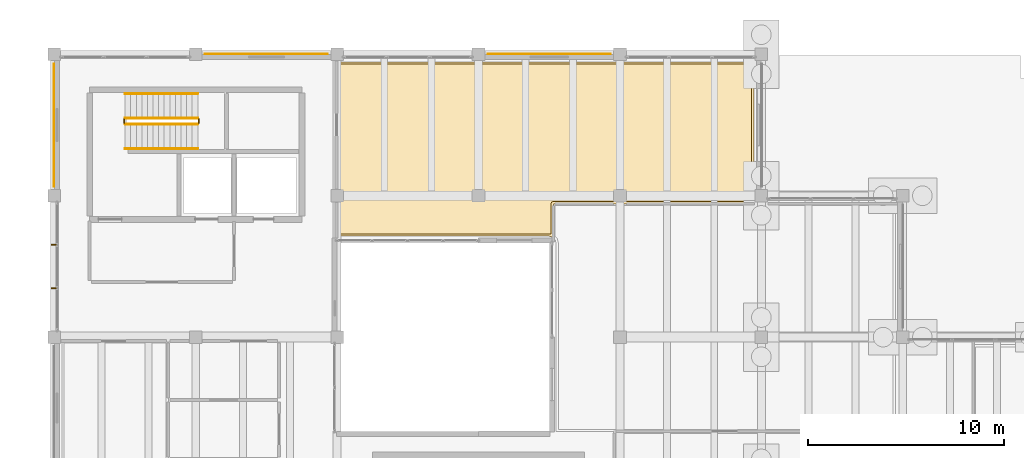
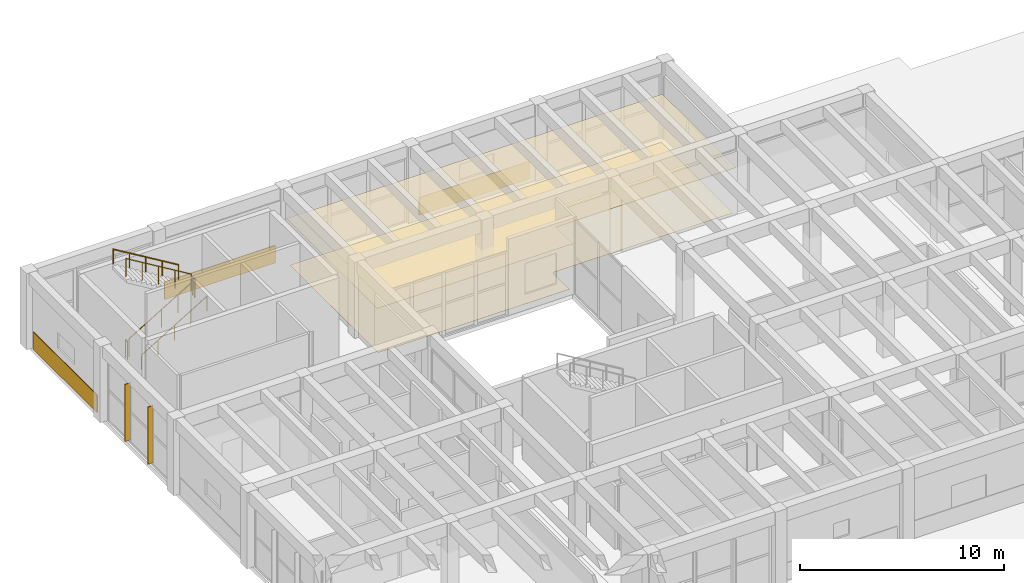
# One storey, part 150 of 155: 6 railings, 5 coverings, 2 shading devices.
"""IFC4 building model written with IfcOpenShell, lengths in metres."""

from ifc_helpers import new_model, si_unit, direction, frame, origin, origin_2d, place, context, subcontext, project, spatial, polyline, rectangle, circle, outline, extrude, material, layer, layer_set, type_object, element, save


model = new_model("IFC4")

# Units and contexts
model_context = context("Model", 3, precision=1e-05, world=origin(), true_north=direction((0.0, 1.0)))
body_context = subcontext(model_context, "Body", "Model", "MODEL_VIEW")
ifc_project = project(units=[si_unit("LENGTHUNIT", "METRE"), si_unit("AREAUNIT", "SQUARE_METRE"), si_unit("VOLUMEUNIT", "CUBIC_METRE"), si_unit("PLANEANGLEUNIT", "RADIAN"), si_unit("MASSUNIT", "GRAM", prefix="KILO")], contexts=[model_context])

# Site, building, storey
site_placement = place(None, origin())
site = spatial("IfcSite", under=ifc_project, at=site_placement, CompositionType="ELEMENT")
building_placement = place(site_placement, origin())
building = spatial("IfcBuilding", under=site, at=building_placement, Name="Bramvelor Terrace Health Centre", CompositionType="ELEMENT")
storey_placement = place(building_placement, origin())
storey = spatial("IfcBuildingStorey", under=building, at=storey_placement, Name="L01", CompositionType="ELEMENT", Elevation=0.0)

# Coverings
ifc_material_1 = material(Name="Honed volcanic tuff rainscreen stone", Category="masonry")
ifc_layer_1 = layer(ifc_material_1, 0.0400390625)
ifc_layer_set_1 = layer_set([ifc_layer_1], Name="Honed volcanic tuff rainscreen stone")
covering_type_1 = type_object("IfcCoveringType", Name="COV-CLAD-TUF", PredefinedType="CLADDING", material=ifc_layer_set_1)
covering_1_placement = place(storey_placement, frame((-0.014892578125, 111.60009765625, 0.02490234375), z_axis=(0.0, 0.0, 1.0), x_axis=(1.0, 0.0, 0.0)))
element("IfcCovering", 1, at=covering_1_placement, inside=storey, type_object=covering_type_1, Name="L01 Volcanic Tuff Rainscreen Spandrel 23", PredefinedType="CLADDING", context=body_context, shape_type="SweptSolid", body=[
    extrude(rectangle(XDim=0.0400390625, YDim=6.260009765625, at=origin_2d()), origin(), (0.0, 0.0, 1.0), 1.050048828125),
])
for number, where, z_axis, x_axis, name in (
    (2, (10.800048828125, 115.215087890625, 0.02490234375), (0.0, 0.0, 1.0), (1.0, 0.0, 0.0), "L01 Volcanic Tuff Rainscreen Spandrel 24"),
    (3, (25.199951171875, 115.215087890625, 0.02490234375), (0.0, 0.0, 1.0), (1.0, 0.0, 0.0), "L01 Volcanic Tuff Rainscreen Spandrel 25"),
):
    element("IfcCovering", number, at=place(storey_placement, frame(where, z_axis=z_axis, x_axis=x_axis)), inside=storey, type_object=covering_type_1, Name=name, PredefinedType="CLADDING", context=body_context, shape_type="SweptSolid", body=[
        extrude(rectangle(XDim=6.260009765625, YDim=0.0400390625, at=origin_2d()), origin(), (0.0, 0.0, 1.0), 1.050048828125),
    ])
ifc_material_2 = material(Name="Hygienic mineral-fibre acoustic ceiling", Category="gypsum")
ifc_layer_2 = layer(ifc_material_2, 0.02001953125)
ifc_layer_set_2 = layer_set([ifc_layer_2], Name="Hygienic mineral-fibre acoustic ceiling")
covering_type_2 = type_object("IfcCoveringType", Name="COV-CLG-ACT", PredefinedType="CEILING", material=ifc_layer_set_2)
covering_2_placement = place(storey_placement, frame((0.0, 0.0, 2.75)))
element("IfcCovering", 4, at=covering_2_placement, inside=storey, type_object=covering_type_2, Name="L01 Primary Care Nursing Suite Acoustic Ceiling", PredefinedType="CEILING", context=body_context, shape_type="SweptSolid", body=[
    extrude(outline(polyline([(35.60009765625, 114.820068359375), (35.60205078125, 114.81982421875), (35.60400390625, 114.819580078125), (35.605712890625, 114.819091796875), (35.607666015625, 114.818603515625), (35.609375, 114.817626953125), (35.611083984375, 114.816650390625), (35.61279296875, 114.8154296875), (35.614013671875, 114.814208984375), (35.615478515625, 114.812744140625), (35.61669921875, 114.81103515625), (35.61767578125, 114.809326171875), (35.618408203125, 114.8076171875), (35.619140625, 114.805908203125), (35.61962890625, 114.803955078125), (35.619873046875, 114.802001953125), (35.6201171875, 114.800048828125), (35.6201171875, 107.60205078125), (35.619873046875, 107.60009765625), (35.61962890625, 107.59814453125), (35.619140625, 107.59619140625), (35.618408203125, 107.59423828125), (35.61767578125, 107.592529296875), (35.61669921875, 107.5908203125), (35.615478515625, 107.58935546875), (35.614013671875, 107.587890625), (35.61279296875, 107.58642578125), (35.611083984375, 107.58544921875), (35.609375, 107.58447265625), (35.607666015625, 107.58349609375), (35.605712890625, 107.5830078125), (35.60400390625, 107.58251953125), (35.60205078125, 107.58203125), (35.60009765625, 107.58203125), (25.419677734375, 107.58203125), (25.41796875, 105.900390625), (25.41796875, 105.898681640625), (25.41748046875, 105.896484375), (25.4169921875, 105.894775390625), (25.41650390625, 105.892822265625), (25.41552734375, 105.89111328125), (25.41455078125, 105.889404296875), (25.41357421875, 105.8876953125), (25.412109375, 105.886474609375), (25.41064453125, 105.885009765625), (25.4091796875, 105.8837890625), (25.407470703125, 105.8828125), (25.40576171875, 105.882080078125), (25.40380859375, 105.88134765625), (25.40185546875, 105.880859375), (25.39990234375, 105.880615234375), (25.39794921875, 105.880615234375), (25.39599609375, 105.880615234375), (25.39404296875, 105.880859375), (25.39208984375, 105.88134765625), (25.197021484375, 105.93994140625), (14.3701171875, 105.9384765625), (14.367919921875, 105.938720703125), (14.3662109375, 105.93896484375), (14.3642578125, 105.939453125), (14.3623046875, 105.93994140625), (14.360595703125, 105.94091796875), (14.35888671875, 105.94189453125), (14.357421875, 105.943115234375), (14.35595703125, 105.9443359375), (14.3544921875, 105.94580078125), (14.353515625, 105.947509765625), (14.352294921875, 105.94921875), (14.3515625, 105.950927734375), (14.350830078125, 105.95263671875), (14.350341796875, 105.95458984375), (14.35009765625, 105.95654296875), (14.35009765625, 105.95849609375), (14.35009765625, 114.800048828125), (14.35009765625, 114.802001953125), (14.350341796875, 114.803955078125), (14.350830078125, 114.805908203125), (14.3515625, 114.8076171875), (14.352294921875, 114.809326171875), (14.353515625, 114.81103515625), (14.3544921875, 114.812744140625), (14.35595703125, 114.814208984375), (14.357421875, 114.8154296875), (14.35888671875, 114.816650390625), (14.360595703125, 114.817626953125), (14.3623046875, 114.818603515625), (14.3642578125, 114.819091796875), (14.3662109375, 114.819580078125), (14.367919921875, 114.81982421875), (14.3701171875, 114.820068359375), (35.60009765625, 114.820068359375)])), origin(), (0.0, 0.0, 1.0), 0.02001953125),
])
ifc_material_3 = material(Name="Seamless antimicrobial clinical vinyl", Category="polymer")
ifc_layer_3 = layer(ifc_material_3, 0.008056640625)
ifc_layer_set_3 = layer_set([ifc_layer_3], Name="Seamless antimicrobial clinical vinyl")
covering_type_3 = type_object("IfcCoveringType", Name="COV-FLR-VNL", PredefinedType="FLOORING", material=ifc_layer_set_3)
covering_3_placement = place(storey_placement, origin())
element("IfcCovering", 5, at=covering_3_placement, inside=storey, type_object=covering_type_3, Name="L01 Primary Care Nursing Suite Clinical Vinyl Flooring", PredefinedType="FLOORING", context=body_context, shape_type="SweptSolid", body=[
    extrude(outline(polyline([(35.5, 114.699951171875), (35.5, 107.701904296875), (25.399658203125, 107.701904296875), (25.389892578125, 107.701416015625), (25.380126953125, 107.699951171875), (25.37060546875, 107.69775390625), (25.361328125, 107.6943359375), (25.3525390625, 107.690185546875), (25.343994140625, 107.68505859375), (25.336181640625, 107.67919921875), (25.328857421875, 107.672607421875), (25.322265625, 107.665283203125), (25.31640625, 107.65771484375), (25.311279296875, 107.649169921875), (25.30712890625, 107.640380859375), (25.303955078125, 107.631103515625), (25.301513671875, 107.62158203125), (25.300048828125, 107.61181640625), (25.299560546875, 107.60205078125), (25.298095703125, 106.034912109375), (25.228759765625, 106.055908203125), (25.21923828125, 106.05810546875), (25.209716796875, 106.0595703125), (25.199951171875, 106.06005859375), (14.469970703125, 106.05859375), (14.469970703125, 114.699951171875), (35.5, 114.699951171875)])), origin(), (0.0, 0.0, 1.0), 0.008056640625),
])

# Railings
ifc_material_4 = material(Name="Painted galvanized steel", Category="steel")
railing_type_1 = type_object("IfcRailingType", Name="RLG-GD-1100", PredefinedType="GUARDRAIL", material=ifc_material_4)
railing_1_placement = place(storey_placement, frame((3.60009765625, 111.64990234375, 0.17138671875)))
element("IfcRailing", 6, at=railing_1_placement, inside=storey, type_object=railing_type_1, Name="L01 ST-1 stair guard 1", PredefinedType="GUARDRAIL", context=body_context, shape_type="SweptSolid", body=[
    extrude(circle(Radius=0.02392578125, at=origin_2d()), frame((0.0, 0.0, 1.076171875), z_axis=(0.856919398105, 0.0, 0.515450429384), x_axis=(0.0, 1.0, 0.0)), (0.0, 0.0, 1.0), 4.323486328125),
    extrude(circle(Radius=0.02099609375, at=origin_2d()), origin(), (0.0, 0.0, 1.0), 1.052001953125),
    extrude(circle(Radius=0.02099609375, at=origin_2d()), frame((0.92626953125, 0.0, 0.55712890625)), (0.0, 0.0, 1.0), 1.052001953125),
    extrude(circle(Radius=0.02099609375, at=origin_2d()), frame((1.8525390625, 0.0, 1.1142578125)), (0.0, 0.0, 1.0), 1.052001953125),
    extrude(circle(Radius=0.02099609375, at=origin_2d()), frame((2.778564453125, 0.0, 1.67138671875)), (0.0, 0.0, 1.0), 1.052001953125),
    extrude(circle(Radius=0.02099609375, at=origin_2d()), frame((3.704833984375, 0.0, 2.228515625)), (0.0, 0.0, 1.0), 1.052001953125),
])
railing_2_placement = place(storey_placement, frame((7.35498046875, 111.699951171875, 2.39990234375)))
element("IfcRailing", 7, at=railing_2_placement, inside=storey, type_object=railing_type_1, Name="L01 ST-1 stair guard 2", PredefinedType="GUARDRAIL", context=body_context, shape_type="SweptSolid", body=[
    extrude(circle(Radius=0.02392578125, at=origin_2d()), frame((0.0, 0.0, 1.076171875), z_axis=(0.0, 1.0, 0.0), x_axis=(-1.0, 0.0, 0.0)), (0.0, 0.0, 1.0), 0.199951171875),
    extrude(circle(Radius=0.02099609375, at=origin_2d()), origin(), (0.0, 0.0, 1.0), 1.052001953125),
    extrude(circle(Radius=0.02099609375, at=origin_2d()), frame((0.0, 0.199951171875, 0.0)), (0.0, 0.0, 1.0), 1.052001953125),
])
railing_3_placement = place(storey_placement, frame((7.304931640625, 111.949951171875, 2.571533203125)))
element("IfcRailing", 8, at=railing_3_placement, inside=storey, type_object=railing_type_1, Name="L01 ST-1 stair guard 3", PredefinedType="GUARDRAIL", context=body_context, shape_type="SweptSolid", body=[
    extrude(circle(Radius=0.02392578125, at=origin_2d()), frame((0.0, 0.0, 1.076171875), z_axis=(-0.856919398105, 0.0, 0.515450429384), x_axis=(0.0, -1.0, 0.0)), (0.0, 0.0, 1.0), 4.323486328125),
    extrude(circle(Radius=0.02099609375, at=origin_2d()), origin(), (0.0, 0.0, 1.0), 1.052001953125),
    extrude(circle(Radius=0.02099609375, at=origin_2d()), frame((-0.92626953125, 0.0, 0.55712890625)), (0.0, 0.0, 1.0), 1.052001953125),
    extrude(circle(Radius=0.02099609375, at=origin_2d()), frame((-1.8525390625, 0.0, 1.1142578125)), (0.0, 0.0, 1.0), 1.052001953125),
    extrude(circle(Radius=0.02099609375, at=origin_2d()), frame((-2.778564453125, 0.0, 1.67138671875)), (0.0, 0.0, 1.0), 1.052001953125),
    extrude(circle(Radius=0.02099609375, at=origin_2d()), frame((-3.704833984375, 0.0, 2.228515625)), (0.0, 0.0, 1.0), 1.052001953125),
])
railing_4_placement = place(storey_placement, frame((3.550048828125, 111.699951171875, 0.0)))
element("IfcRailing", 9, at=railing_4_placement, inside=storey, type_object=railing_type_1, Name="L01 ST-1 stair guard 4", PredefinedType="GUARDRAIL", context=body_context, shape_type="SweptSolid", body=[
    extrude(circle(Radius=0.02392578125, at=origin_2d()), frame((0.0, 0.0, 1.076171875), z_axis=(0.0, 1.0, 0.0), x_axis=(-1.0, 0.0, 0.0)), (0.0, 0.0, 1.0), 0.199951171875),
    extrude(circle(Radius=0.02099609375, at=origin_2d()), origin(), (0.0, 0.0, 1.0), 1.052001953125),
    extrude(circle(Radius=0.02099609375, at=origin_2d()), frame((0.0, 0.199951171875, 0.0)), (0.0, 0.0, 1.0), 1.052001953125),
])
ifc_material_5 = material(Name="Brushed stainless steel 316", Category="steel")
railing_type_2 = type_object("IfcRailingType", Name="RLG-HR-900", PredefinedType="HANDRAIL", material=ifc_material_5)
railing_5_placement = place(storey_placement, frame((3.60009765625, 110.39990234375, 0.17138671875)))
element("IfcRailing", 10, at=railing_5_placement, inside=storey, type_object=railing_type_2, Name="L01 ST-1 stair handrail 1", PredefinedType="HANDRAIL", context=body_context, shape_type="SweptSolid", body=[
    extrude(circle(Radius=0.02392578125, at=origin_2d()), frame((0.0, 0.0, 0.8759765625), z_axis=(0.856919398105, 0.0, 0.515450429384), x_axis=(0.0, 1.0, 0.0)), (0.0, 0.0, 1.0), 4.323486328125),
    extrude(circle(Radius=0.02099609375, at=origin_2d()), origin(), (0.0, 0.0, 1.0), 0.851806640625),
    extrude(circle(Radius=0.02099609375, at=origin_2d()), frame((0.92626953125, 0.0, 0.55712890625)), (0.0, 0.0, 1.0), 0.851806640625),
    extrude(circle(Radius=0.02099609375, at=origin_2d()), frame((1.8525390625, 0.0, 1.1142578125)), (0.0, 0.0, 1.0), 0.851806640625),
    extrude(circle(Radius=0.02099609375, at=origin_2d()), frame((2.778564453125, 0.0, 1.67138671875)), (0.0, 0.0, 1.0), 0.851806640625),
    extrude(circle(Radius=0.02099609375, at=origin_2d()), frame((3.704833984375, 0.0, 2.228515625)), (0.0, 0.0, 1.0), 0.851806640625),
])
railing_6_placement = place(storey_placement, frame((7.304931640625, 113.199951171875, 2.571533203125)))
element("IfcRailing", 11, at=railing_6_placement, inside=storey, type_object=railing_type_2, Name="L01 ST-1 stair handrail 2", PredefinedType="HANDRAIL", context=body_context, shape_type="SweptSolid", body=[
    extrude(circle(Radius=0.02392578125, at=origin_2d()), frame((0.0, 0.0, 0.8759765625), z_axis=(-0.856919398105, 0.0, 0.515450429384), x_axis=(0.0, -1.0, 0.0)), (0.0, 0.0, 1.0), 4.323486328125),
    extrude(circle(Radius=0.02099609375, at=origin_2d()), origin(), (0.0, 0.0, 1.0), 0.851806640625),
    extrude(circle(Radius=0.02099609375, at=origin_2d()), frame((-0.92626953125, 0.0, 0.55712890625)), (0.0, 0.0, 1.0), 0.851806640625),
    extrude(circle(Radius=0.02099609375, at=origin_2d()), frame((-1.8525390625, 0.0, 1.1142578125)), (0.0, 0.0, 1.0), 0.851806640625),
    extrude(circle(Radius=0.02099609375, at=origin_2d()), frame((-2.778564453125, 0.0, 1.67138671875)), (0.0, 0.0, 1.0), 0.851806640625),
    extrude(circle(Radius=0.02099609375, at=origin_2d()), frame((-3.704833984375, 0.0, 2.228515625)), (0.0, 0.0, 1.0), 0.851806640625),
])

# Shading devices
ifc_material_6 = material(Name="Anodized aluminium 6063-T6", Category="aluminium")
ifc_layer_4 = layer(ifc_material_6, 0.050048828125)
ifc_layer_set_4 = layer_set([ifc_layer_4], Name="Anodized aluminium 6063-T6")
shading_device_type = type_object("IfcShadingDeviceType", Name="SHD-FIN-300", PredefinedType="JALOUSIE", material=ifc_layer_set_4)
for number, where, z_axis, x_axis, name in (
    (12, (-0.02001953125, 103.284912109375, 0.150146484375), (0.0, 0.0, 1.0), (1.0, 0.0, 0.0), "L01 Solar Shading Louvre Fin 19"),
    (13, (-0.02001953125, 105.51513671875, 0.150146484375), (0.0, 0.0, 1.0), (1.0, 0.0, 0.0), "L01 Solar Shading Louvre Fin 20"),
):
    element("IfcShadingDevice", number, at=place(storey_placement, frame(where, z_axis=z_axis, x_axis=x_axis)), inside=storey, type_object=shading_device_type, Name=name, PredefinedType="JALOUSIE", context=body_context, shape_type="SweptSolid", body=[
        extrude(rectangle(XDim=0.300048828125, YDim=0.050048828125, at=origin_2d()), origin(), (0.0, 0.0, 1.0), 3.419921875),
    ])

save(model, "model.ifc")
